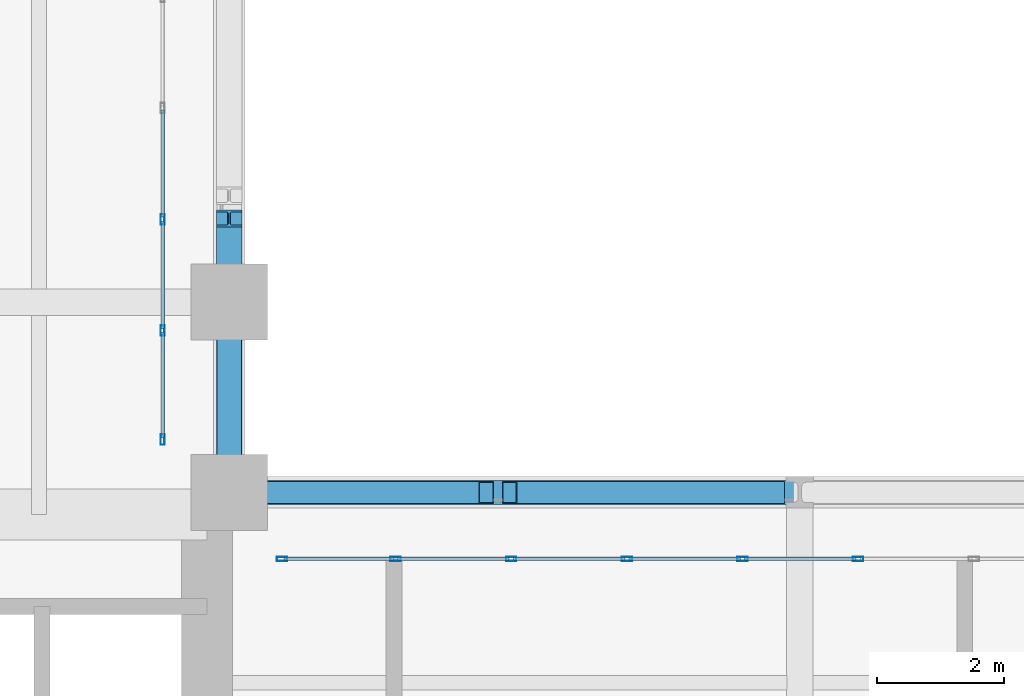
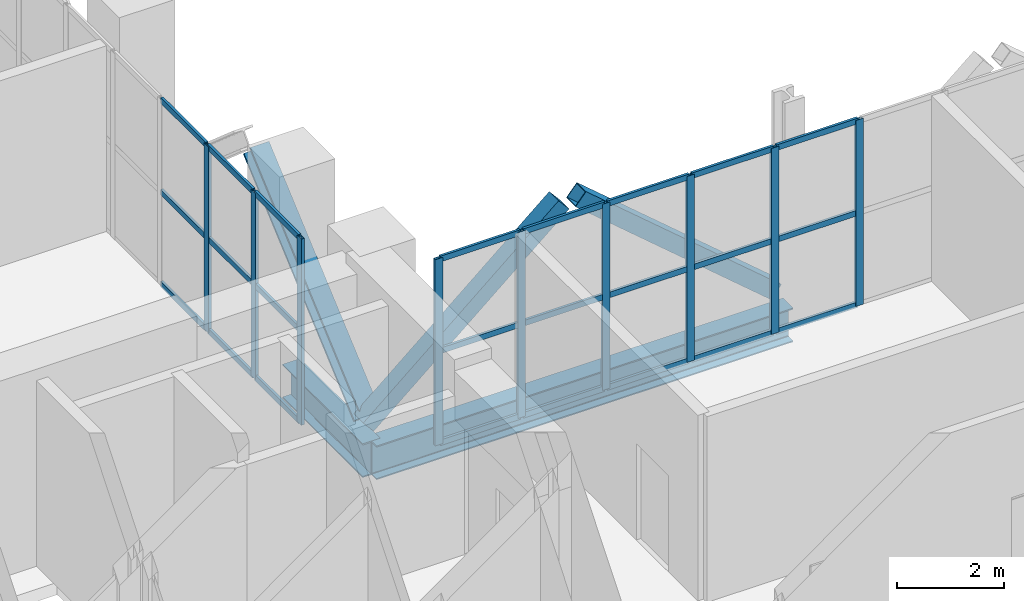
# One storey, part 6 of 27: 36 members, 2 beams, 2 elements without a shape of their own.
"""IFC4 building model written with IfcOpenShell, lengths in metres."""

from ifc_helpers import new_model, si_unit, direction, frame, origin, origin_2d, place, context, subcontext, project, spatial, hollow_rectangle, i_section, extrude, material, layer, layer_set, material_profile, profile_set, type_object, element, aggregate, save


model = new_model("IFC4")

# Units and contexts
model_context = context("Model", 3, precision=1e-05, world=origin(), true_north=direction((0.0, 1.0)))
body_context = subcontext(model_context, "Body", "Model", "MODEL_VIEW")
ifc_project = project(units=[si_unit("LENGTHUNIT", "METRE"), si_unit("AREAUNIT", "SQUARE_METRE"), si_unit("VOLUMEUNIT", "CUBIC_METRE"), si_unit("PLANEANGLEUNIT", "RADIAN"), si_unit("MASSUNIT", "GRAM", prefix="KILO")], contexts=[model_context])

# Site, building, storey
site_placement = place(None, origin())
site = spatial("IfcSite", under=ifc_project, at=site_placement, CompositionType="ELEMENT")
building_placement = place(site_placement, origin())
building = spatial("IfcBuilding", under=site, at=building_placement, Name="Mawjdan Bourse Tower", CompositionType="ELEMENT")
storey_placement = place(building_placement, frame((0.0, 0.0, 84.60009765625)))
storey = spatial("IfcBuildingStorey", under=building, at=storey_placement, Name="L19", CompositionType="ELEMENT", Elevation=84.60009765625)

# Members
ifc_material_1 = material(Name="Structural Steel S460", Category="steel")
ifc_material_profile_1 = material_profile(ifc_material_1, hollow_rectangle(XDim=0.35009765625, YDim=0.35009765625, WallThickness=0.01611328125, at=origin_2d()), Name="HSS350X350X16")
ifc_profile_set_1 = profile_set([ifc_material_profile_1], Name="Structural Steel S460")
member_type_1 = type_object("IfcMemberType", Name="BRC-HSS350X350X16", PredefinedType="BRACE", material=ifc_profile_set_1)
member_1_placement = place(storey_placement, frame((23.83349609375, 21.0, 0.199951171875), z_axis=(0.760829478047, 0.0, 0.648951851322), x_axis=(0.0, 1.0, 0.0)))
element("IfcMember", 1, at=member_1_placement, inside=storey, type_object=member_type_1, Name="L19 East Outrigger Truss 2 Diagonal 1", PredefinedType="BRACE", context=body_context, shape_type="SweptSolid", body=[
    extrude(hollow_rectangle(XDim=0.35009765625, YDim=0.35009765625, WallThickness=0.01611328125, at=origin_2d()), origin(), (0.0, 0.0, 1.0), 5.547119140625),
])
member_2_placement = place(storey_placement, frame((28.4208984375, 21.0, 3.7998046875), z_axis=(0.760848012119, 0.0, -0.648930121396), x_axis=(0.0, 1.0, 0.0)))
element("IfcMember", 2, at=member_2_placement, inside=storey, type_object=member_type_1, Name="L19 East Outrigger Truss 2 Diagonal 2", PredefinedType="BRACE", context=body_context, shape_type="SweptSolid", body=[
    extrude(hollow_rectangle(XDim=0.35009765625, YDim=0.35009765625, WallThickness=0.01611328125, at=origin_2d()), origin(), (0.0, 0.0, 1.0), 5.54736328125),
])
ifc_material_profile_2 = material_profile(ifc_material_1, i_section(OverallWidth=0.406005859375, OverallDepth=0.416015625, WebThickness=0.02978515625, FlangeThickness=0.048095703125, FilletRadius=0.038330078125, at=origin_2d()), Name="W14X257")
ifc_profile_set_2 = profile_set([ifc_material_profile_2], Name="Structural Steel S460")
member_type_2 = type_object("IfcMemberType", Name="BRC-W14X257", PredefinedType="BRACE", material=ifc_profile_set_2)
member_3_placement = place(storey_placement, frame((24.0, 21.179931640625, 0.199951171875), z_axis=(0.0, 0.754629472097, 0.656151171486), x_axis=(-1.0, 0.0, 0.0)))
element("IfcMember", 3, at=member_3_placement, inside=storey, type_object=member_type_2, Name="L19 North Wing Perimeter Belt Truss Diagonal 1", PredefinedType="BRACE", context=body_context, shape_type="SweptSolid", body=[
    extrude(i_section(OverallWidth=0.406005859375, OverallDepth=0.416015625, WebThickness=0.02978515625, FlangeThickness=0.048095703125, FilletRadius=0.038330078125, at=origin_2d()), origin(), (0.0, 0.0, 1.0), 5.486328125),
])

# Curtain wall, members
ifc_material_2 = material(Name="Thermally Broken Aluminium and Solar Glass", Category="aluminium")
ifc_layer = layer(ifc_material_2, 0.219970703125)
ifc_layer_set = layer_set([ifc_layer], Name="Thermally Broken Aluminium and Solar Glass")
curtain_wall_type = type_object("IfcCurtainWallType", Name="CW-RFG", PredefinedType="USERDEFINED", material=ifc_layer_set)
curtain_wall_1_placement = place(storey_placement, origin())
curtain_wall_1 = element("IfcCurtainWall", 4, at=curtain_wall_1_placement, inside=storey, type_object=curtain_wall_type, Name="L19 Refuge Band North Louvre Curtain Wall", ObjectType="REFUGE BAND LOUVRE SCREEN", PredefinedType="USERDEFINED")
ifc_material_3 = material(Name="Thermally Broken Anodised Aluminium", Category="aluminium")
ifc_material_profile_3 = material_profile(ifc_material_3, hollow_rectangle(XDim=0.06494140625, YDim=0.1650390625, WallThickness=0.00390625, at=origin_2d()), Name="ALU-MUL-165X65")
ifc_profile_set_3 = profile_set([ifc_material_profile_3], Name="Thermally Broken Anodised Aluminium")
member_type_3 = type_object("IfcMemberType", Name="MUL-ALU-MUL-165X65", PredefinedType="MULLION", material=ifc_profile_set_3)
member_4_placement = place(storey_placement, frame((33.9189453125, 19.949951171875, 0.0), z_axis=(0.0, 0.0, 1.0), x_axis=(0.0, -1.0, 0.0)))
member_4 = element("IfcMember", 5, at=member_4_placement, type_object=member_type_3, Name="CW-RFG-L19-RFG-N mullion 17", PredefinedType="MULLION", context=body_context, shape_type="SweptSolid", body=[
    extrude(hollow_rectangle(XDim=0.06494140625, YDim=0.1650390625, WallThickness=0.00390625, at=origin_2d()), origin(), (0.0, 0.0, 1.0), 4.25),
])
member_5_placement = place(storey_placement, frame((32.09521484375, 19.949951171875, 0.0), z_axis=(0.0, 0.0, 1.0), x_axis=(0.0, -1.0, 0.0)))
member_5 = element("IfcMember", 6, at=member_5_placement, type_object=member_type_3, Name="CW-RFG-L19-RFG-N mullion 18", PredefinedType="MULLION", context=body_context, shape_type="SweptSolid", body=[
    extrude(hollow_rectangle(XDim=0.06494140625, YDim=0.1650390625, WallThickness=0.00390625, at=origin_2d()), origin(), (0.0, 0.0, 1.0), 4.25),
])
member_6_placement = place(storey_placement, frame((30.271484375, 19.949951171875, 0.0), z_axis=(0.0, 0.0, 1.0), x_axis=(0.0, -1.0, 0.0)))
member_6 = element("IfcMember", 7, at=member_6_placement, type_object=member_type_3, Name="CW-RFG-L19-RFG-N mullion 19", PredefinedType="MULLION", context=body_context, shape_type="SweptSolid", body=[
    extrude(hollow_rectangle(XDim=0.06494140625, YDim=0.1650390625, WallThickness=0.00390625, at=origin_2d()), origin(), (0.0, 0.0, 1.0), 4.25),
])
member_7_placement = place(storey_placement, frame((28.447509765625, 19.949951171875, 0.0), z_axis=(0.0, 0.0, 1.0), x_axis=(0.0, -1.0, 0.0)))
member_7 = element("IfcMember", 8, at=member_7_placement, type_object=member_type_3, Name="CW-RFG-L19-RFG-N mullion 20", PredefinedType="MULLION", context=body_context, shape_type="SweptSolid", body=[
    extrude(hollow_rectangle(XDim=0.06494140625, YDim=0.1650390625, WallThickness=0.00390625, at=origin_2d()), origin(), (0.0, 0.0, 1.0), 4.25),
])
member_8_placement = place(storey_placement, frame((26.623779296875, 19.949951171875, 0.0), z_axis=(0.0, 0.0, 1.0), x_axis=(0.0, -1.0, 0.0)))
member_8 = element("IfcMember", 9, at=member_8_placement, type_object=member_type_3, Name="CW-RFG-L19-RFG-N mullion 21", PredefinedType="MULLION", context=body_context, shape_type="SweptSolid", body=[
    extrude(hollow_rectangle(XDim=0.06494140625, YDim=0.1650390625, WallThickness=0.00390625, at=origin_2d()), origin(), (0.0, 0.0, 1.0), 4.25),
])
member_9_placement = place(storey_placement, frame((24.83251953125, 19.949951171875, 0.0), z_axis=(0.0, 0.0, 1.0), x_axis=(0.0, -1.0, 0.0)))
member_9 = element("IfcMember", 10, at=member_9_placement, type_object=member_type_3, Name="CW-RFG-L19-RFG-N mullion 22", PredefinedType="MULLION", context=body_context, shape_type="SweptSolid", body=[
    extrude(hollow_rectangle(XDim=0.06494140625, YDim=0.1650390625, WallThickness=0.00390625, at=origin_2d()), origin(), (0.0, 0.0, 1.0), 4.25),
])

curtain_wall_2_placement = place(storey_placement, origin())
curtain_wall_2 = element("IfcCurtainWall", 11, at=curtain_wall_2_placement, inside=storey, type_object=curtain_wall_type, Name="L19 Refuge Band North-Wing Louvre Curtain Wall", ObjectType="REFUGE BAND LOUVRE SCREEN", PredefinedType="USERDEFINED")
member_10_placement = place(storey_placement, frame((22.949951171875, 21.83251953125, 0.0), z_axis=(0.0, 0.0, 1.0), x_axis=(-1.0, 0.0, 0.0)))
member_10 = element("IfcMember", 12, at=member_10_placement, type_object=member_type_3, Name="CW-RFG-L19-RFG-W mullion 1", PredefinedType="MULLION", context=body_context, shape_type="SweptSolid", body=[
    extrude(hollow_rectangle(XDim=0.06494140625, YDim=0.1650390625, WallThickness=0.00390625, at=origin_2d()), origin(), (0.0, 0.0, 1.0), 4.25),
])
member_11_placement = place(storey_placement, frame((22.949951171875, 23.55322265625, 0.0), z_axis=(0.0, 0.0, 1.0), x_axis=(-1.0, 0.0, 0.0)))
member_11 = element("IfcMember", 13, at=member_11_placement, type_object=member_type_3, Name="CW-RFG-L19-RFG-W mullion 2", PredefinedType="MULLION", context=body_context, shape_type="SweptSolid", body=[
    extrude(hollow_rectangle(XDim=0.06494140625, YDim=0.1650390625, WallThickness=0.00390625, at=origin_2d()), origin(), (0.0, 0.0, 1.0), 4.25),
])
member_12_placement = place(storey_placement, frame((22.949951171875, 25.306640625, 0.0), z_axis=(0.0, 0.0, 1.0), x_axis=(-1.0, 0.0, 0.0)))
member_12 = element("IfcMember", 14, at=member_12_placement, type_object=member_type_3, Name="CW-RFG-L19-RFG-W mullion 3", PredefinedType="MULLION", context=body_context, shape_type="SweptSolid", body=[
    extrude(hollow_rectangle(XDim=0.06494140625, YDim=0.1650390625, WallThickness=0.00390625, at=origin_2d()), origin(), (0.0, 0.0, 1.0), 4.25),
])

# Beams
ifc_material_4 = material(Name="Structural Steel S355", Category="steel")
ifc_material_profile_4 = material_profile(ifc_material_4, i_section(OverallWidth=0.381103515625, OverallDepth=0.77294921875, WebThickness=0.0166015625, FlangeThickness=0.027099609375, FilletRadius=0.021728515625, at=origin_2d()), Name="W30X173")
ifc_profile_set_4 = profile_set([ifc_material_profile_4], Name="Structural Steel S355")
beam_type = type_object("IfcBeamType", Name="SPN-W30X173", PredefinedType="SPANDREL", material=ifc_profile_set_4)
beam_1_placement = place(storey_placement, frame((24.0, 21.0, -0.66650390625), z_axis=(1.0, 0.0, 0.0), x_axis=(0.0, 1.0, 0.0)))
element("IfcBeam", 15, at=beam_1_placement, inside=storey, type_object=beam_type, Name="L19 Perimeter Masonry-Shelf Spandrel 016", PredefinedType="SPANDREL", context=body_context, shape_type="SweptSolid", body=[
    extrude(i_section(OverallWidth=0.381103515625, OverallDepth=0.77294921875, WebThickness=0.0166015625, FlangeThickness=0.027099609375, FilletRadius=0.021728515625, at=origin_2d()), origin(), (0.0, 0.0, 1.0), 9.0),
])
beam_2_placement = place(storey_placement, frame((24.0, 21.0, -0.66650390625), z_axis=(0.0, 1.0, 0.0), x_axis=(-1.0, 0.0, 0.0)))
element("IfcBeam", 16, at=beam_2_placement, inside=storey, type_object=beam_type, Name="L19 North Wing Spandrel 073", PredefinedType="SPANDREL", context=body_context, shape_type="SweptSolid", body=[
    extrude(i_section(OverallWidth=0.381103515625, OverallDepth=0.77294921875, WebThickness=0.0166015625, FlangeThickness=0.027099609375, FilletRadius=0.021728515625, at=origin_2d()), origin(), (0.0, 0.0, 1.0), 3.0),
])

# Member
ifc_material_profile_5 = material_profile(ifc_material_3, hollow_rectangle(XDim=0.054931640625, YDim=0.1298828125, WallThickness=0.00341796875, at=origin_2d()), Name="ALU-TRN-130X55")
ifc_profile_set_5 = profile_set([ifc_material_profile_5], Name="Thermally Broken Anodised Aluminium")
member_type_4 = type_object("IfcMemberType", Name="TRN-ALU-TRN-130X55", PredefinedType="USERDEFINED", material=ifc_profile_set_5)
member_13_placement = place(storey_placement, frame((33.886474609375, 19.949951171875, 0.02734375), z_axis=(-1.0, 0.0, 0.0), x_axis=(0.0, -1.0, 0.0)))
member_13 = element("IfcMember", 17, at=member_13_placement, type_object=member_type_4, Name="CW-RFG-L19-RFG-N transom 17.1", ObjectType="TRANSOM", PredefinedType="USERDEFINED", context=body_context, shape_type="SweptSolid", body=[
    extrude(hollow_rectangle(XDim=0.054931640625, YDim=0.1298828125, WallThickness=0.00341796875, at=origin_2d()), origin(), (0.0, 0.0, 1.0), 1.7587890625),
])

member_14_placement = place(storey_placement, frame((33.886474609375, 19.949951171875, 2.125), z_axis=(-1.0, 0.0, 0.0), x_axis=(0.0, -1.0, 0.0)))
member_14 = element("IfcMember", 18, at=member_14_placement, type_object=member_type_4, Name="CW-RFG-L19-RFG-N transom 17.2", ObjectType="TRANSOM", PredefinedType="USERDEFINED", context=body_context, shape_type="SweptSolid", body=[
    extrude(hollow_rectangle(XDim=0.054931640625, YDim=0.1298828125, WallThickness=0.00341796875, at=origin_2d()), origin(), (0.0, 0.0, 1.0), 1.7587890625),
])

member_15_placement = place(storey_placement, frame((33.886474609375, 19.949951171875, 4.222412109375), z_axis=(-1.0, 0.0, 0.0), x_axis=(0.0, -1.0, 0.0)))
member_15 = element("IfcMember", 19, at=member_15_placement, type_object=member_type_4, Name="CW-RFG-L19-RFG-N transom 17.3", ObjectType="TRANSOM", PredefinedType="USERDEFINED", context=body_context, shape_type="SweptSolid", body=[
    extrude(hollow_rectangle(XDim=0.054931640625, YDim=0.1298828125, WallThickness=0.00341796875, at=origin_2d()), origin(), (0.0, 0.0, 1.0), 1.7587890625),
])

member_16_placement = place(storey_placement, frame((32.062744140625, 19.949951171875, 0.02734375), z_axis=(-1.0, 0.0, 0.0), x_axis=(0.0, -1.0, 0.0)))
member_16 = element("IfcMember", 20, at=member_16_placement, type_object=member_type_4, Name="CW-RFG-L19-RFG-N transom 18.1", ObjectType="TRANSOM", PredefinedType="USERDEFINED", context=body_context, shape_type="SweptSolid", body=[
    extrude(hollow_rectangle(XDim=0.054931640625, YDim=0.1298828125, WallThickness=0.00341796875, at=origin_2d()), origin(), (0.0, 0.0, 1.0), 1.7587890625),
])

member_17_placement = place(storey_placement, frame((32.062744140625, 19.949951171875, 2.125), z_axis=(-1.0, 0.0, 0.0), x_axis=(0.0, -1.0, 0.0)))
member_17 = element("IfcMember", 21, at=member_17_placement, type_object=member_type_4, Name="CW-RFG-L19-RFG-N transom 18.2", ObjectType="TRANSOM", PredefinedType="USERDEFINED", context=body_context, shape_type="SweptSolid", body=[
    extrude(hollow_rectangle(XDim=0.054931640625, YDim=0.1298828125, WallThickness=0.00341796875, at=origin_2d()), origin(), (0.0, 0.0, 1.0), 1.7587890625),
])

member_18_placement = place(storey_placement, frame((32.062744140625, 19.949951171875, 4.222412109375), z_axis=(-1.0, 0.0, 0.0), x_axis=(0.0, -1.0, 0.0)))
member_18 = element("IfcMember", 22, at=member_18_placement, type_object=member_type_4, Name="CW-RFG-L19-RFG-N transom 18.3", ObjectType="TRANSOM", PredefinedType="USERDEFINED", context=body_context, shape_type="SweptSolid", body=[
    extrude(hollow_rectangle(XDim=0.054931640625, YDim=0.1298828125, WallThickness=0.00341796875, at=origin_2d()), origin(), (0.0, 0.0, 1.0), 1.7587890625),
])

member_19_placement = place(storey_placement, frame((30.239013671875, 19.949951171875, 0.02734375), z_axis=(-1.0, 0.0, 0.0), x_axis=(0.0, -1.0, 0.0)))
member_19 = element("IfcMember", 23, at=member_19_placement, type_object=member_type_4, Name="CW-RFG-L19-RFG-N transom 19.1", ObjectType="TRANSOM", PredefinedType="USERDEFINED", context=body_context, shape_type="SweptSolid", body=[
    extrude(hollow_rectangle(XDim=0.054931640625, YDim=0.1298828125, WallThickness=0.00341796875, at=origin_2d()), origin(), (0.0, 0.0, 1.0), 1.7587890625),
])

member_20_placement = place(storey_placement, frame((30.239013671875, 19.949951171875, 2.125), z_axis=(-1.0, 0.0, 0.0), x_axis=(0.0, -1.0, 0.0)))
member_20 = element("IfcMember", 24, at=member_20_placement, type_object=member_type_4, Name="CW-RFG-L19-RFG-N transom 19.2", ObjectType="TRANSOM", PredefinedType="USERDEFINED", context=body_context, shape_type="SweptSolid", body=[
    extrude(hollow_rectangle(XDim=0.054931640625, YDim=0.1298828125, WallThickness=0.00341796875, at=origin_2d()), origin(), (0.0, 0.0, 1.0), 1.7587890625),
])

member_21_placement = place(storey_placement, frame((30.239013671875, 19.949951171875, 4.222412109375), z_axis=(-1.0, 0.0, 0.0), x_axis=(0.0, -1.0, 0.0)))
member_21 = element("IfcMember", 25, at=member_21_placement, type_object=member_type_4, Name="CW-RFG-L19-RFG-N transom 19.3", ObjectType="TRANSOM", PredefinedType="USERDEFINED", context=body_context, shape_type="SweptSolid", body=[
    extrude(hollow_rectangle(XDim=0.054931640625, YDim=0.1298828125, WallThickness=0.00341796875, at=origin_2d()), origin(), (0.0, 0.0, 1.0), 1.7587890625),
])

member_22_placement = place(storey_placement, frame((28.4150390625, 19.949951171875, 0.02734375), z_axis=(-1.0, 0.0, 0.0), x_axis=(0.0, -1.0, 0.0)))
member_22 = element("IfcMember", 26, at=member_22_placement, type_object=member_type_4, Name="CW-RFG-L19-RFG-N transom 20.1", ObjectType="TRANSOM", PredefinedType="USERDEFINED", context=body_context, shape_type="SweptSolid", body=[
    extrude(hollow_rectangle(XDim=0.054931640625, YDim=0.1298828125, WallThickness=0.00341796875, at=origin_2d()), origin(), (0.0, 0.0, 1.0), 1.7587890625),
])

member_23_placement = place(storey_placement, frame((28.4150390625, 19.949951171875, 2.125), z_axis=(-1.0, 0.0, 0.0), x_axis=(0.0, -1.0, 0.0)))
member_23 = element("IfcMember", 27, at=member_23_placement, type_object=member_type_4, Name="CW-RFG-L19-RFG-N transom 20.2", ObjectType="TRANSOM", PredefinedType="USERDEFINED", context=body_context, shape_type="SweptSolid", body=[
    extrude(hollow_rectangle(XDim=0.054931640625, YDim=0.1298828125, WallThickness=0.00341796875, at=origin_2d()), origin(), (0.0, 0.0, 1.0), 1.7587890625),
])

member_24_placement = place(storey_placement, frame((28.4150390625, 19.949951171875, 4.222412109375), z_axis=(-1.0, 0.0, 0.0), x_axis=(0.0, -1.0, 0.0)))
member_24 = element("IfcMember", 28, at=member_24_placement, type_object=member_type_4, Name="CW-RFG-L19-RFG-N transom 20.3", ObjectType="TRANSOM", PredefinedType="USERDEFINED", context=body_context, shape_type="SweptSolid", body=[
    extrude(hollow_rectangle(XDim=0.054931640625, YDim=0.1298828125, WallThickness=0.00341796875, at=origin_2d()), origin(), (0.0, 0.0, 1.0), 1.7587890625),
])

member_25_placement = place(storey_placement, frame((26.59130859375, 19.949951171875, 0.02734375), z_axis=(-1.0, 0.0, 0.0), x_axis=(0.0, -1.0, 0.0)))
member_25 = element("IfcMember", 29, at=member_25_placement, type_object=member_type_4, Name="CW-RFG-L19-RFG-N transom 21.1", ObjectType="TRANSOM", PredefinedType="USERDEFINED", context=body_context, shape_type="SweptSolid", body=[
    extrude(hollow_rectangle(XDim=0.054931640625, YDim=0.1298828125, WallThickness=0.00341796875, at=origin_2d()), origin(), (0.0, 0.0, 1.0), 1.726318359375),
])

member_26_placement = place(storey_placement, frame((26.59130859375, 19.949951171875, 2.125), z_axis=(-1.0, 0.0, 0.0), x_axis=(0.0, -1.0, 0.0)))
member_26 = element("IfcMember", 30, at=member_26_placement, type_object=member_type_4, Name="CW-RFG-L19-RFG-N transom 21.2", ObjectType="TRANSOM", PredefinedType="USERDEFINED", context=body_context, shape_type="SweptSolid", body=[
    extrude(hollow_rectangle(XDim=0.054931640625, YDim=0.1298828125, WallThickness=0.00341796875, at=origin_2d()), origin(), (0.0, 0.0, 1.0), 1.726318359375),
])

member_27_placement = place(storey_placement, frame((26.59130859375, 19.949951171875, 4.222412109375), z_axis=(-1.0, 0.0, 0.0), x_axis=(0.0, -1.0, 0.0)))
member_27 = element("IfcMember", 31, at=member_27_placement, type_object=member_type_4, Name="CW-RFG-L19-RFG-N transom 21.3", ObjectType="TRANSOM", PredefinedType="USERDEFINED", context=body_context, shape_type="SweptSolid", body=[
    extrude(hollow_rectangle(XDim=0.054931640625, YDim=0.1298828125, WallThickness=0.00341796875, at=origin_2d()), origin(), (0.0, 0.0, 1.0), 1.726318359375),
])

aggregate(curtain_wall_1, [member_4, member_5, member_6, member_7, member_8, member_9, member_13, member_14, member_15, member_16, member_17, member_18, member_19, member_20, member_21, member_22, member_23, member_24, member_25, member_26, member_27])

member_28_placement = place(storey_placement, frame((22.949951171875, 21.864990234375, 0.02734375), z_axis=(0.0, 1.0, 0.0), x_axis=(-1.0, 0.0, 0.0)))
member_28 = element("IfcMember", 32, at=member_28_placement, type_object=member_type_4, Name="CW-RFG-L19-RFG-W transom 1.1", ObjectType="TRANSOM", PredefinedType="USERDEFINED", context=body_context, shape_type="SweptSolid", body=[
    extrude(hollow_rectangle(XDim=0.054931640625, YDim=0.1298828125, WallThickness=0.00341796875, at=origin_2d()), origin(), (0.0, 0.0, 1.0), 1.65576171875),
])

member_29_placement = place(storey_placement, frame((22.949951171875, 21.864990234375, 2.125), z_axis=(0.0, 1.0, 0.0), x_axis=(-1.0, 0.0, 0.0)))
member_29 = element("IfcMember", 33, at=member_29_placement, type_object=member_type_4, Name="CW-RFG-L19-RFG-W transom 1.2", ObjectType="TRANSOM", PredefinedType="USERDEFINED", context=body_context, shape_type="SweptSolid", body=[
    extrude(hollow_rectangle(XDim=0.054931640625, YDim=0.1298828125, WallThickness=0.00341796875, at=origin_2d()), origin(), (0.0, 0.0, 1.0), 1.65576171875),
])

member_30_placement = place(storey_placement, frame((22.949951171875, 21.864990234375, 4.222412109375), z_axis=(0.0, 1.0, 0.0), x_axis=(-1.0, 0.0, 0.0)))
member_30 = element("IfcMember", 34, at=member_30_placement, type_object=member_type_4, Name="CW-RFG-L19-RFG-W transom 1.3", ObjectType="TRANSOM", PredefinedType="USERDEFINED", context=body_context, shape_type="SweptSolid", body=[
    extrude(hollow_rectangle(XDim=0.054931640625, YDim=0.1298828125, WallThickness=0.00341796875, at=origin_2d()), origin(), (0.0, 0.0, 1.0), 1.65576171875),
])

member_31_placement = place(storey_placement, frame((22.949951171875, 23.5859375, 0.02734375), z_axis=(0.0, 1.0, 0.0), x_axis=(-1.0, 0.0, 0.0)))
member_31 = element("IfcMember", 35, at=member_31_placement, type_object=member_type_4, Name="CW-RFG-L19-RFG-W transom 2.1", ObjectType="TRANSOM", PredefinedType="USERDEFINED", context=body_context, shape_type="SweptSolid", body=[
    extrude(hollow_rectangle(XDim=0.054931640625, YDim=0.1298828125, WallThickness=0.00341796875, at=origin_2d()), origin(), (0.0, 0.0, 1.0), 1.688232421875),
])

member_32_placement = place(storey_placement, frame((22.949951171875, 23.5859375, 2.125), z_axis=(0.0, 1.0, 0.0), x_axis=(-1.0, 0.0, 0.0)))
member_32 = element("IfcMember", 36, at=member_32_placement, type_object=member_type_4, Name="CW-RFG-L19-RFG-W transom 2.2", ObjectType="TRANSOM", PredefinedType="USERDEFINED", context=body_context, shape_type="SweptSolid", body=[
    extrude(hollow_rectangle(XDim=0.054931640625, YDim=0.1298828125, WallThickness=0.00341796875, at=origin_2d()), origin(), (0.0, 0.0, 1.0), 1.688232421875),
])

member_33_placement = place(storey_placement, frame((22.949951171875, 23.5859375, 4.222412109375), z_axis=(0.0, 1.0, 0.0), x_axis=(-1.0, 0.0, 0.0)))
member_33 = element("IfcMember", 37, at=member_33_placement, type_object=member_type_4, Name="CW-RFG-L19-RFG-W transom 2.3", ObjectType="TRANSOM", PredefinedType="USERDEFINED", context=body_context, shape_type="SweptSolid", body=[
    extrude(hollow_rectangle(XDim=0.054931640625, YDim=0.1298828125, WallThickness=0.00341796875, at=origin_2d()), origin(), (0.0, 0.0, 1.0), 1.688232421875),
])

member_34_placement = place(storey_placement, frame((22.949951171875, 25.339111328125, 0.02734375), z_axis=(0.0, 1.0, 0.0), x_axis=(-1.0, 0.0, 0.0)))
member_34 = element("IfcMember", 38, at=member_34_placement, type_object=member_type_4, Name="CW-RFG-L19-RFG-W transom 3.1", ObjectType="TRANSOM", PredefinedType="USERDEFINED", context=body_context, shape_type="SweptSolid", body=[
    extrude(hollow_rectangle(XDim=0.054931640625, YDim=0.1298828125, WallThickness=0.00341796875, at=origin_2d()), origin(), (0.0, 0.0, 1.0), 1.6884765625),
])

member_35_placement = place(storey_placement, frame((22.949951171875, 25.339111328125, 2.125), z_axis=(0.0, 1.0, 0.0), x_axis=(-1.0, 0.0, 0.0)))
member_35 = element("IfcMember", 39, at=member_35_placement, type_object=member_type_4, Name="CW-RFG-L19-RFG-W transom 3.2", ObjectType="TRANSOM", PredefinedType="USERDEFINED", context=body_context, shape_type="SweptSolid", body=[
    extrude(hollow_rectangle(XDim=0.054931640625, YDim=0.1298828125, WallThickness=0.00341796875, at=origin_2d()), origin(), (0.0, 0.0, 1.0), 1.6884765625),
])

member_36_placement = place(storey_placement, frame((22.949951171875, 25.339111328125, 4.222412109375), z_axis=(0.0, 1.0, 0.0), x_axis=(-1.0, 0.0, 0.0)))
member_36 = element("IfcMember", 40, at=member_36_placement, type_object=member_type_4, Name="CW-RFG-L19-RFG-W transom 3.3", ObjectType="TRANSOM", PredefinedType="USERDEFINED", context=body_context, shape_type="SweptSolid", body=[
    extrude(hollow_rectangle(XDim=0.054931640625, YDim=0.1298828125, WallThickness=0.00341796875, at=origin_2d()), origin(), (0.0, 0.0, 1.0), 1.6884765625),
])

aggregate(curtain_wall_2, [member_10, member_11, member_12, member_28, member_29, member_30, member_31, member_32, member_33, member_34, member_35, member_36])

save(model, "model.ifc")
